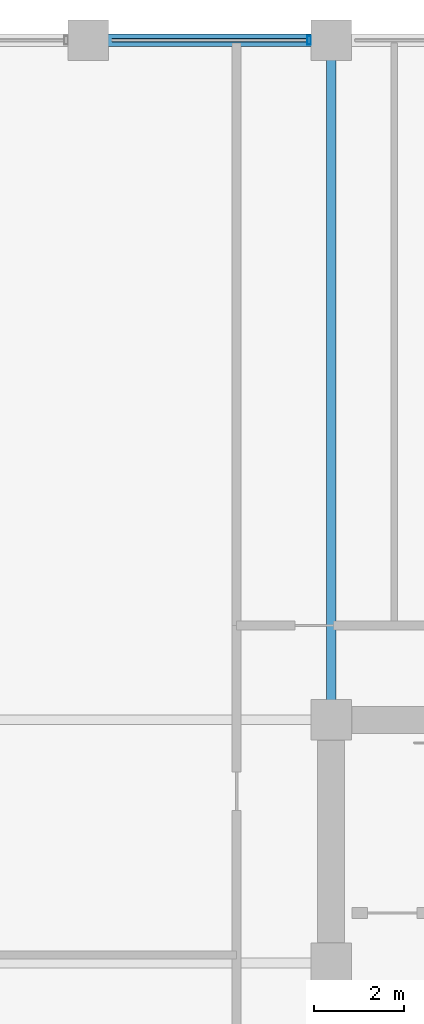
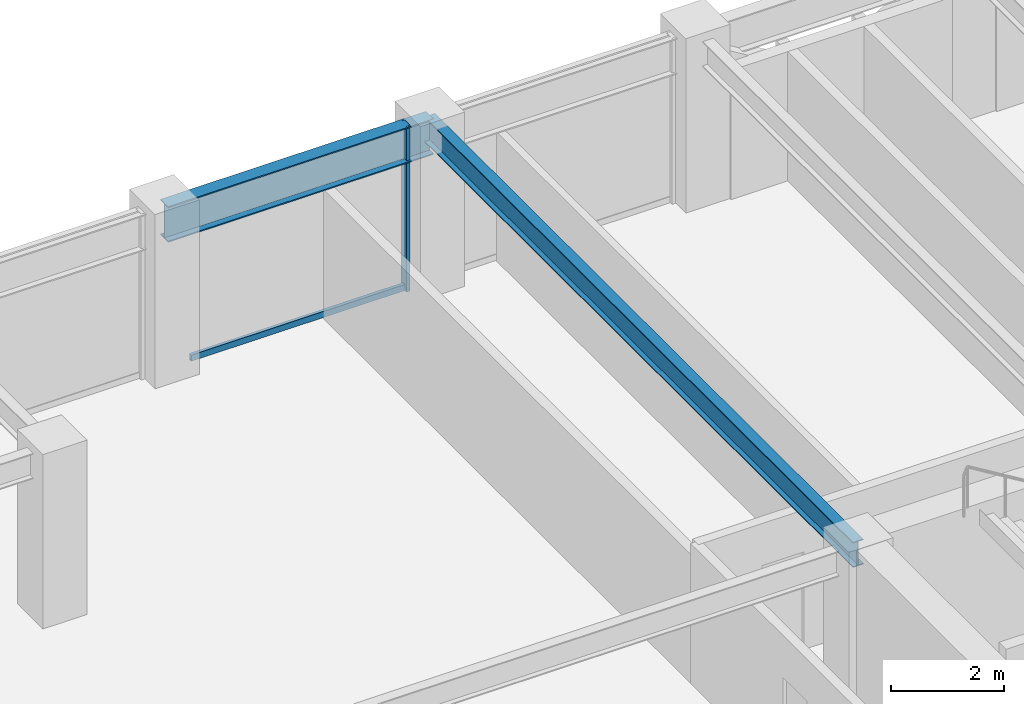
# One storey, part 19 of 32: 2 beams, 2 members, 1 element without a shape of its own.
"""IFC4 building model written with IfcOpenShell, lengths in metres."""

from ifc_helpers import new_model, si_unit, direction, frame, origin, origin_2d, place, context, subcontext, project, spatial, hollow_rectangle, i_section, extrude, material, layer, layer_set, material_profile, profile_set, type_object, element, aggregate, save


model = new_model("IFC4")

# Units and contexts
model_context = context("Model", 3, precision=1e-05, world=origin(), true_north=direction((0.0, 1.0)))
body_context = subcontext(model_context, "Body", "Model", "MODEL_VIEW")
ifc_project = project(units=[si_unit("LENGTHUNIT", "METRE"), si_unit("AREAUNIT", "SQUARE_METRE"), si_unit("VOLUMEUNIT", "CUBIC_METRE"), si_unit("PLANEANGLEUNIT", "RADIAN"), si_unit("MASSUNIT", "GRAM", prefix="KILO")], contexts=[model_context])

# Site, building, storey
site_placement = place(None, origin())
site = spatial("IfcSite", under=ifc_project, at=site_placement, CompositionType="ELEMENT")
building_placement = place(site_placement, origin())
building = spatial("IfcBuilding", under=site, at=building_placement, Name="Surkhivell Harbour Commons", CompositionType="ELEMENT")
storey_placement = place(building_placement, frame((0.0, 0.0, 204.75)))
storey = spatial("IfcBuildingStorey", under=building, at=storey_placement, Name="L53", CompositionType="ELEMENT", Elevation=204.75)

# Beams
ifc_material_1 = material(Name="Steel S355", Category="steel")
ifc_material_profile_1 = material_profile(ifc_material_1, i_section(OverallWidth=0.2119140625, OverallDepth=0.5439453125, WebThickness=0.0126953125, FlangeThickness=0.021240234375, at=origin_2d()), Name="UB533x210x122")
ifc_profile_set_1 = profile_set([ifc_material_profile_1], Name="Steel S355")
beam_type_1 = type_object("IfcBeamType", Name="BM-GRD-533A", PredefinedType="BEAM", material=ifc_profile_set_1)
beam_1_placement = place(storey_placement, frame((-10.800048828125, 10.800048828125, 3.298095703125), z_axis=(0.0, 1.0, 0.0), x_axis=(-1.0, 0.0, 0.0)))
element("IfcBeam", 1, at=beam_1_placement, inside=storey, type_object=beam_type_1, Name="L53 Floor Girder (-10.8,10.8)", PredefinedType="BEAM", context=body_context, shape_type="SweptSolid", body=[
    extrude(i_section(OverallWidth=0.2119140625, OverallDepth=0.5439453125, WebThickness=0.0126953125, FlangeThickness=0.021240234375, at=origin_2d()), origin(), (0.0, 0.0, 1.0), 15.099853515625),
])
ifc_material_profile_2 = material_profile(ifc_material_1, i_section(OverallWidth=0.26806640625, OverallDepth=0.77001953125, WebThickness=0.015625, FlangeThickness=0.025390625, at=origin_2d()), Name="UB762x267x197")
ifc_profile_set_2 = profile_set([ifc_material_profile_2], Name="Steel S355")
beam_type_2 = type_object("IfcBeamType", Name="BM-SPN-762", PredefinedType="SPANDREL", material=ifc_profile_set_2)
beam_2_placement = place(storey_placement, frame((-16.199951171875, 25.89990234375, 3.18505859375), z_axis=(1.0, 0.0, 0.0), x_axis=(0.0, 1.0, 0.0)))
element("IfcBeam", 2, at=beam_2_placement, inside=storey, type_object=beam_type_2, Name="L53 Tube Spandrel (-16.2,25.9)", PredefinedType="SPANDREL", context=body_context, shape_type="SweptSolid", body=[
    extrude(i_section(OverallWidth=0.26806640625, OverallDepth=0.77001953125, WebThickness=0.015625, FlangeThickness=0.025390625, at=origin_2d()), origin(), (0.0, 0.0, 1.0), 5.39990234375),
])

# Curtain wall, members
ifc_material_2 = material(Name="Anodised pale-metal aluminium and insulated glazing", Category="aluminium")
ifc_layer = layer(ifc_material_2, 0.18994140625)
ifc_layer_set = layer_set([ifc_layer], Name="Anodised pale-metal aluminium and insulated glazing")
curtain_wall_type = type_object("IfcCurtainWallType", Name="CW-SYS-Z3", PredefinedType="NOTDEFINED", material=ifc_layer_set)
curtain_wall_placement = place(storey_placement, origin())
curtain_wall = element("IfcCurtainWall", 3, at=curtain_wall_placement, inside=storey, type_object=curtain_wall_type, Name="L53 Curtain Wall CW-L53-E07S2", PredefinedType="NOTDEFINED")
ifc_material_3 = material(Name="Anodised pale-metal aluminium alloy 6063-T6", Category="aluminium")
ifc_material_profile_3 = material_profile(ifc_material_3, hollow_rectangle(XDim=0.074951171875, YDim=0.18994140625, WallThickness=0.00390625, at=origin_2d()), Name="ALU-MULL-75x190")
ifc_profile_set_3 = profile_set([ifc_material_profile_3], Name="Anodised pale-metal aluminium alloy 6063-T6")
member_type_1 = type_object("IfcMemberType", Name="CWM-190", PredefinedType="MULLION", material=ifc_profile_set_3)
member_1_placement = place(storey_placement, frame((-11.28955078125, 25.89990234375, 0.0), z_axis=(0.0, 0.0, 1.0), x_axis=(-1.0, 0.0, 0.0)))
member_1 = element("IfcMember", 4, at=member_1_placement, type_object=member_type_1, Name="CW-Z3 mullion 2", PredefinedType="MULLION", context=body_context, shape_type="SweptSolid", body=[
    extrude(hollow_rectangle(XDim=0.074951171875, YDim=0.18994140625, WallThickness=0.00390625, at=origin_2d()), origin(), (0.0, 0.0, 1.0), 3.570068359375),
])
ifc_material_4 = material(Name="Champagne anodised aluminium alloy 6063-T6", Category="aluminium")
ifc_material_profile_4 = material_profile(ifc_material_4, hollow_rectangle(XDim=0.070068359375, YDim=0.1298828125, WallThickness=0.00341796875, at=origin_2d()), Name="ALU-TRAN-70x130")
ifc_profile_set_4 = profile_set([ifc_material_profile_4], Name="Champagne anodised aluminium alloy 6063-T6")
member_type_2 = type_object("IfcMemberType", Name="CWT-130", PredefinedType="USERDEFINED", material=ifc_profile_set_4)
member_2_placement = place(storey_placement, frame((-11.326904296875, 25.89990234375, 0.06494140625), z_axis=(-1.0, 0.0, 0.0), x_axis=(0.0, -1.0, 0.0)))
member_2 = element("IfcMember", 5, at=member_2_placement, type_object=member_type_2, Name="CW-Z3 transom 2.1", ObjectType="TRANSOM", PredefinedType="USERDEFINED", context=body_context, shape_type="SweptSolid", body=[
    extrude(hollow_rectangle(XDim=0.070068359375, YDim=0.1298828125, WallThickness=0.00341796875, at=origin_2d()), origin(), (0.0, 0.0, 1.0), 4.34619140625),
])
aggregate(curtain_wall, [member_1, member_2])

save(model, "model.ifc")
